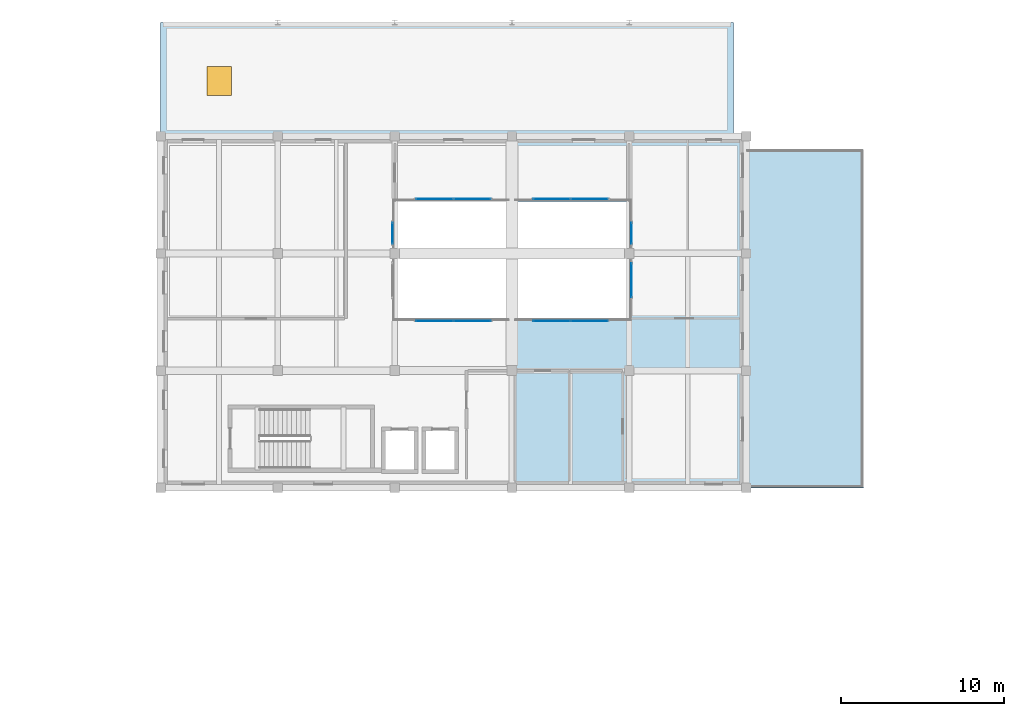
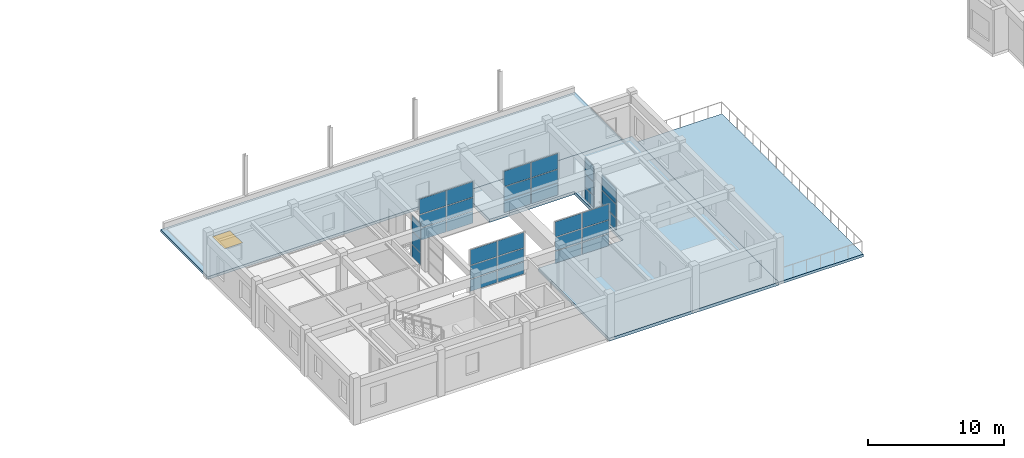
# One storey, part 68 of 99: 33 plates, 3 slabs, 1 window, 1 opening, 7 elements without a shape of their own.
"""IFC4 building model written with IfcOpenShell, lengths in metres."""

from ifc_helpers import new_model, si_unit, direction, frame, origin, origin_2d, place, context, subcontext, project, spatial, polyline, rectangle, outline, extrude, material, layer, layer_set, type_object, element, fill, aggregate, save


model = new_model("IFC4")

# Units and contexts
model_context = context("Model", 3, precision=1e-05, world=origin(), true_north=direction((0.0, 1.0)))
body_context = subcontext(model_context, "Body", "Model", "MODEL_VIEW")
ifc_project = project(units=[si_unit("LENGTHUNIT", "METRE"), si_unit("AREAUNIT", "SQUARE_METRE"), si_unit("VOLUMEUNIT", "CUBIC_METRE"), si_unit("PLANEANGLEUNIT", "RADIAN"), si_unit("MASSUNIT", "GRAM", prefix="KILO")], contexts=[model_context])

# Site, building, storey
site_placement = place(None, origin())
site = spatial("IfcSite", under=ifc_project, at=site_placement, CompositionType="ELEMENT")
building_placement = place(site_placement, origin())
building = spatial("IfcBuilding", under=site, at=building_placement, Name="Bramveld Media Centre", CompositionType="ELEMENT")
storey_placement = place(building_placement, frame((0.0, 0.0, 13.800048828125)))
storey = spatial("IfcBuildingStorey", under=building, at=storey_placement, Name="L03", CompositionType="ELEMENT", Elevation=13.800048828125)

# Curtain wall, plates
ifc_material_1 = material(Name="Thermally broken anodized bronze aluminium unitized curtain wall with solar-control triple glazing", Category="aluminium")
curtain_wall_type_1 = type_object("IfcCurtainWallType", Name="CW-ATR-4700x3840", PredefinedType="NOTDEFINED", material=ifc_material_1)
curtain_wall_1_placement = place(storey_placement, origin())
curtain_wall_1 = element("IfcCurtainWall", 1, at=curtain_wall_1_placement, inside=storey, type_object=curtain_wall_type_1, Name="V6 L03 atrium acoustic screen S1-1", PredefinedType="NOTDEFINED")
ifc_material_2 = material(Name="Laminated acoustic safety glass panel", Category="glass")
ifc_layer_1 = layer(ifc_material_2, 0.028076171875)
ifc_layer_set_1 = layer_set([ifc_layer_1], Name="Laminated acoustic safety glass panel")
plate_type = type_object("IfcPlateType", Name="CW-PAN-INT", PredefinedType="CURTAIN_PANEL", material=ifc_layer_set_1)
plate_1_placement = place(storey_placement, frame((82.43994140625, 100.64990234375, 0.059814453125), z_axis=(0.0, 0.0, 1.0), x_axis=(1.0, 0.0, 0.0)))
plate_1 = element("IfcPlate", 2, at=plate_1_placement, type_object=plate_type, Name="CW-AT-4738 panel 1.1", PredefinedType="CURTAIN_PANEL", context=body_context, shape_type="SweptSolid", body=[
    extrude(rectangle(XDim=2.260009765625, YDim=0.028076171875, at=origin_2d()), origin(), (0.0, 0.0, 1.0), 1.06005859375),
])
plate_2_placement = place(storey_placement, frame((82.43994140625, 100.64990234375, 1.179931640625), z_axis=(0.0, 0.0, 1.0), x_axis=(1.0, 0.0, 0.0)))
plate_2 = element("IfcPlate", 3, at=plate_2_placement, type_object=plate_type, Name="CW-AT-4738 panel 1.2", PredefinedType="CURTAIN_PANEL", context=body_context, shape_type="SweptSolid", body=[
    extrude(rectangle(XDim=2.260009765625, YDim=0.028076171875, at=origin_2d()), origin(), (0.0, 0.0, 1.0), 1.1708984375),
])
plate_3_placement = place(storey_placement, frame((82.43994140625, 100.64990234375, 2.4111328125), z_axis=(0.0, 0.0, 1.0), x_axis=(1.0, 0.0, 0.0)))
plate_3 = element("IfcPlate", 4, at=plate_3_placement, type_object=plate_type, Name="CW-AT-4738 panel 1.3", PredefinedType="CURTAIN_PANEL", context=body_context, shape_type="SweptSolid", body=[
    extrude(rectangle(XDim=2.260009765625, YDim=0.028076171875, at=origin_2d()), origin(), (0.0, 0.0, 1.0), 1.368896484375),
])
plate_4_placement = place(storey_placement, frame((84.760009765625, 100.64990234375, 0.059814453125), z_axis=(0.0, 0.0, 1.0), x_axis=(1.0, 0.0, 0.0)))
plate_4 = element("IfcPlate", 5, at=plate_4_placement, type_object=plate_type, Name="CW-AT-4738 panel 2.1", PredefinedType="CURTAIN_PANEL", context=body_context, shape_type="SweptSolid", body=[
    extrude(rectangle(XDim=2.260009765625, YDim=0.028076171875, at=origin_2d()), origin(), (0.0, 0.0, 1.0), 1.06005859375),
])
plate_5_placement = place(storey_placement, frame((84.760009765625, 100.64990234375, 1.179931640625), z_axis=(0.0, 0.0, 1.0), x_axis=(1.0, 0.0, 0.0)))
plate_5 = element("IfcPlate", 6, at=plate_5_placement, type_object=plate_type, Name="CW-AT-4738 panel 2.2", PredefinedType="CURTAIN_PANEL", context=body_context, shape_type="SweptSolid", body=[
    extrude(rectangle(XDim=2.260009765625, YDim=0.028076171875, at=origin_2d()), origin(), (0.0, 0.0, 1.0), 1.1708984375),
])
plate_6_placement = place(storey_placement, frame((84.760009765625, 100.64990234375, 2.4111328125), z_axis=(0.0, 0.0, 1.0), x_axis=(1.0, 0.0, 0.0)))
plate_6 = element("IfcPlate", 7, at=plate_6_placement, type_object=plate_type, Name="CW-AT-4738 panel 2.3", PredefinedType="CURTAIN_PANEL", context=body_context, shape_type="SweptSolid", body=[
    extrude(rectangle(XDim=2.260009765625, YDim=0.028076171875, at=origin_2d()), origin(), (0.0, 0.0, 1.0), 1.368896484375),
])
aggregate(curtain_wall_1, [plate_1, plate_2, plate_3, plate_4, plate_5, plate_6])

curtain_wall_2_placement = place(storey_placement, origin())
curtain_wall_2 = element("IfcCurtainWall", 8, at=curtain_wall_2_placement, inside=storey, type_object=curtain_wall_type_1, Name="V6 L03 atrium acoustic screen S2-1", PredefinedType="NOTDEFINED")
plate_7_placement = place(storey_placement, frame((89.639892578125, 100.64990234375, 0.059814453125), z_axis=(0.0, 0.0, 1.0), x_axis=(1.0, 0.0, 0.0)))
plate_7 = element("IfcPlate", 9, at=plate_7_placement, type_object=plate_type, Name="CW-AT-4738 panel 1.1", PredefinedType="CURTAIN_PANEL", context=body_context, shape_type="SweptSolid", body=[
    extrude(rectangle(XDim=2.260009765625, YDim=0.028076171875, at=origin_2d()), origin(), (0.0, 0.0, 1.0), 1.06005859375),
])
plate_8_placement = place(storey_placement, frame((89.639892578125, 100.64990234375, 1.179931640625), z_axis=(0.0, 0.0, 1.0), x_axis=(1.0, 0.0, 0.0)))
plate_8 = element("IfcPlate", 10, at=plate_8_placement, type_object=plate_type, Name="CW-AT-4738 panel 1.2", PredefinedType="CURTAIN_PANEL", context=body_context, shape_type="SweptSolid", body=[
    extrude(rectangle(XDim=2.260009765625, YDim=0.028076171875, at=origin_2d()), origin(), (0.0, 0.0, 1.0), 1.1708984375),
])
plate_9_placement = place(storey_placement, frame((89.639892578125, 100.64990234375, 2.4111328125), z_axis=(0.0, 0.0, 1.0), x_axis=(1.0, 0.0, 0.0)))
plate_9 = element("IfcPlate", 11, at=plate_9_placement, type_object=plate_type, Name="CW-AT-4738 panel 1.3", PredefinedType="CURTAIN_PANEL", context=body_context, shape_type="SweptSolid", body=[
    extrude(rectangle(XDim=2.260009765625, YDim=0.028076171875, at=origin_2d()), origin(), (0.0, 0.0, 1.0), 1.368896484375),
])
plate_10_placement = place(storey_placement, frame((91.9599609375, 100.64990234375, 0.059814453125), z_axis=(0.0, 0.0, 1.0), x_axis=(1.0, 0.0, 0.0)))
plate_10 = element("IfcPlate", 12, at=plate_10_placement, type_object=plate_type, Name="CW-AT-4738 panel 2.1", PredefinedType="CURTAIN_PANEL", context=body_context, shape_type="SweptSolid", body=[
    extrude(rectangle(XDim=2.260009765625, YDim=0.028076171875, at=origin_2d()), origin(), (0.0, 0.0, 1.0), 1.06005859375),
])
plate_11_placement = place(storey_placement, frame((91.9599609375, 100.64990234375, 1.179931640625), z_axis=(0.0, 0.0, 1.0), x_axis=(1.0, 0.0, 0.0)))
plate_11 = element("IfcPlate", 13, at=plate_11_placement, type_object=plate_type, Name="CW-AT-4738 panel 2.2", PredefinedType="CURTAIN_PANEL", context=body_context, shape_type="SweptSolid", body=[
    extrude(rectangle(XDim=2.260009765625, YDim=0.028076171875, at=origin_2d()), origin(), (0.0, 0.0, 1.0), 1.1708984375),
])
plate_12_placement = place(storey_placement, frame((91.9599609375, 100.64990234375, 2.4111328125), z_axis=(0.0, 0.0, 1.0), x_axis=(1.0, 0.0, 0.0)))
plate_12 = element("IfcPlate", 14, at=plate_12_placement, type_object=plate_type, Name="CW-AT-4738 panel 2.3", PredefinedType="CURTAIN_PANEL", context=body_context, shape_type="SweptSolid", body=[
    extrude(rectangle(XDim=2.260009765625, YDim=0.028076171875, at=origin_2d()), origin(), (0.0, 0.0, 1.0), 1.368896484375),
])
aggregate(curtain_wall_2, [plate_7, plate_8, plate_9, plate_10, plate_11, plate_12])

curtain_wall_3_placement = place(storey_placement, origin())
curtain_wall_3 = element("IfcCurtainWall", 15, at=curtain_wall_3_placement, inside=storey, type_object=curtain_wall_type_1, Name="V6 L03 atrium acoustic screen N1-1", PredefinedType="NOTDEFINED")
plate_13_placement = place(storey_placement, frame((82.43994140625, 108.14990234375, 0.059814453125), z_axis=(0.0, 0.0, 1.0), x_axis=(1.0, 0.0, 0.0)))
plate_13 = element("IfcPlate", 16, at=plate_13_placement, type_object=plate_type, Name="CW-AT-4738 panel 1.1", PredefinedType="CURTAIN_PANEL", context=body_context, shape_type="SweptSolid", body=[
    extrude(rectangle(XDim=2.260009765625, YDim=0.028076171875, at=origin_2d()), origin(), (0.0, 0.0, 1.0), 1.06005859375),
])
plate_14_placement = place(storey_placement, frame((82.43994140625, 108.14990234375, 1.179931640625), z_axis=(0.0, 0.0, 1.0), x_axis=(1.0, 0.0, 0.0)))
plate_14 = element("IfcPlate", 17, at=plate_14_placement, type_object=plate_type, Name="CW-AT-4738 panel 1.2", PredefinedType="CURTAIN_PANEL", context=body_context, shape_type="SweptSolid", body=[
    extrude(rectangle(XDim=2.260009765625, YDim=0.028076171875, at=origin_2d()), origin(), (0.0, 0.0, 1.0), 1.1708984375),
])
plate_15_placement = place(storey_placement, frame((82.43994140625, 108.14990234375, 2.4111328125), z_axis=(0.0, 0.0, 1.0), x_axis=(1.0, 0.0, 0.0)))
plate_15 = element("IfcPlate", 18, at=plate_15_placement, type_object=plate_type, Name="CW-AT-4738 panel 1.3", PredefinedType="CURTAIN_PANEL", context=body_context, shape_type="SweptSolid", body=[
    extrude(rectangle(XDim=2.260009765625, YDim=0.028076171875, at=origin_2d()), origin(), (0.0, 0.0, 1.0), 1.368896484375),
])
plate_16_placement = place(storey_placement, frame((84.760009765625, 108.14990234375, 0.059814453125), z_axis=(0.0, 0.0, 1.0), x_axis=(1.0, 0.0, 0.0)))
plate_16 = element("IfcPlate", 19, at=plate_16_placement, type_object=plate_type, Name="CW-AT-4738 panel 2.1", PredefinedType="CURTAIN_PANEL", context=body_context, shape_type="SweptSolid", body=[
    extrude(rectangle(XDim=2.260009765625, YDim=0.028076171875, at=origin_2d()), origin(), (0.0, 0.0, 1.0), 1.06005859375),
])
plate_17_placement = place(storey_placement, frame((84.760009765625, 108.14990234375, 1.179931640625), z_axis=(0.0, 0.0, 1.0), x_axis=(1.0, 0.0, 0.0)))
plate_17 = element("IfcPlate", 20, at=plate_17_placement, type_object=plate_type, Name="CW-AT-4738 panel 2.2", PredefinedType="CURTAIN_PANEL", context=body_context, shape_type="SweptSolid", body=[
    extrude(rectangle(XDim=2.260009765625, YDim=0.028076171875, at=origin_2d()), origin(), (0.0, 0.0, 1.0), 1.1708984375),
])
plate_18_placement = place(storey_placement, frame((84.760009765625, 108.14990234375, 2.4111328125), z_axis=(0.0, 0.0, 1.0), x_axis=(1.0, 0.0, 0.0)))
plate_18 = element("IfcPlate", 21, at=plate_18_placement, type_object=plate_type, Name="CW-AT-4738 panel 2.3", PredefinedType="CURTAIN_PANEL", context=body_context, shape_type="SweptSolid", body=[
    extrude(rectangle(XDim=2.260009765625, YDim=0.028076171875, at=origin_2d()), origin(), (0.0, 0.0, 1.0), 1.368896484375),
])
aggregate(curtain_wall_3, [plate_13, plate_14, plate_15, plate_16, plate_17, plate_18])

curtain_wall_4_placement = place(storey_placement, origin())
curtain_wall_4 = element("IfcCurtainWall", 22, at=curtain_wall_4_placement, inside=storey, type_object=curtain_wall_type_1, Name="V6 L03 atrium acoustic screen N2-1", PredefinedType="NOTDEFINED")
plate_19_placement = place(storey_placement, frame((89.639892578125, 108.14990234375, 0.059814453125), z_axis=(0.0, 0.0, 1.0), x_axis=(1.0, 0.0, 0.0)))
plate_19 = element("IfcPlate", 23, at=plate_19_placement, type_object=plate_type, Name="CW-AT-4738 panel 1.1", PredefinedType="CURTAIN_PANEL", context=body_context, shape_type="SweptSolid", body=[
    extrude(rectangle(XDim=2.260009765625, YDim=0.028076171875, at=origin_2d()), origin(), (0.0, 0.0, 1.0), 1.06005859375),
])
plate_20_placement = place(storey_placement, frame((89.639892578125, 108.14990234375, 1.179931640625), z_axis=(0.0, 0.0, 1.0), x_axis=(1.0, 0.0, 0.0)))
plate_20 = element("IfcPlate", 24, at=plate_20_placement, type_object=plate_type, Name="CW-AT-4738 panel 1.2", PredefinedType="CURTAIN_PANEL", context=body_context, shape_type="SweptSolid", body=[
    extrude(rectangle(XDim=2.260009765625, YDim=0.028076171875, at=origin_2d()), origin(), (0.0, 0.0, 1.0), 1.1708984375),
])
plate_21_placement = place(storey_placement, frame((89.639892578125, 108.14990234375, 2.4111328125), z_axis=(0.0, 0.0, 1.0), x_axis=(1.0, 0.0, 0.0)))
plate_21 = element("IfcPlate", 25, at=plate_21_placement, type_object=plate_type, Name="CW-AT-4738 panel 1.3", PredefinedType="CURTAIN_PANEL", context=body_context, shape_type="SweptSolid", body=[
    extrude(rectangle(XDim=2.260009765625, YDim=0.028076171875, at=origin_2d()), origin(), (0.0, 0.0, 1.0), 1.368896484375),
])
plate_22_placement = place(storey_placement, frame((91.9599609375, 108.14990234375, 0.059814453125), z_axis=(0.0, 0.0, 1.0), x_axis=(1.0, 0.0, 0.0)))
plate_22 = element("IfcPlate", 26, at=plate_22_placement, type_object=plate_type, Name="CW-AT-4738 panel 2.1", PredefinedType="CURTAIN_PANEL", context=body_context, shape_type="SweptSolid", body=[
    extrude(rectangle(XDim=2.260009765625, YDim=0.028076171875, at=origin_2d()), origin(), (0.0, 0.0, 1.0), 1.06005859375),
])
plate_23_placement = place(storey_placement, frame((91.9599609375, 108.14990234375, 1.179931640625), z_axis=(0.0, 0.0, 1.0), x_axis=(1.0, 0.0, 0.0)))
plate_23 = element("IfcPlate", 27, at=plate_23_placement, type_object=plate_type, Name="CW-AT-4738 panel 2.2", PredefinedType="CURTAIN_PANEL", context=body_context, shape_type="SweptSolid", body=[
    extrude(rectangle(XDim=2.260009765625, YDim=0.028076171875, at=origin_2d()), origin(), (0.0, 0.0, 1.0), 1.1708984375),
])
plate_24_placement = place(storey_placement, frame((91.9599609375, 108.14990234375, 2.4111328125), z_axis=(0.0, 0.0, 1.0), x_axis=(1.0, 0.0, 0.0)))
plate_24 = element("IfcPlate", 28, at=plate_24_placement, type_object=plate_type, Name="CW-AT-4738 panel 2.3", PredefinedType="CURTAIN_PANEL", context=body_context, shape_type="SweptSolid", body=[
    extrude(rectangle(XDim=2.260009765625, YDim=0.028076171875, at=origin_2d()), origin(), (0.0, 0.0, 1.0), 1.368896484375),
])
aggregate(curtain_wall_4, [plate_19, plate_20, plate_21, plate_22, plate_23, plate_24])

ifc_material_3 = material(Name="Thermally broken anodized bronze aluminium unitized curtain wall with solar-control triple glazing", Category="aluminium")
curtain_wall_type_2 = type_object("IfcCurtainWallType", Name="CW-ATR-1400x3840", PredefinedType="NOTDEFINED", material=ifc_material_3)
curtain_wall_5_placement = place(storey_placement, origin())
curtain_wall_5 = element("IfcCurtainWall", 29, at=curtain_wall_5_placement, inside=storey, type_object=curtain_wall_type_2, Name="V6 L03 atrium acoustic screen W-2", PredefinedType="NOTDEFINED")
plate_25_placement = place(storey_placement, frame((79.85009765625, 106.050048828125, 0.059814453125), z_axis=(0.0, 0.0, 1.0), x_axis=(0.0, 1.0, 0.0)))
plate_25 = element("IfcPlate", 30, at=plate_25_placement, type_object=plate_type, Name="CW-AT-1438 panel 1.1", PredefinedType="CURTAIN_PANEL", context=body_context, shape_type="SweptSolid", body=[
    extrude(rectangle(XDim=1.280029296875, YDim=0.028076171875, at=origin_2d()), origin(), (0.0, 0.0, 1.0), 1.06005859375),
])
plate_26_placement = place(storey_placement, frame((79.85009765625, 106.050048828125, 1.179931640625), z_axis=(0.0, 0.0, 1.0), x_axis=(0.0, 1.0, 0.0)))
plate_26 = element("IfcPlate", 31, at=plate_26_placement, type_object=plate_type, Name="CW-AT-1438 panel 1.2", PredefinedType="CURTAIN_PANEL", context=body_context, shape_type="SweptSolid", body=[
    extrude(rectangle(XDim=1.280029296875, YDim=0.028076171875, at=origin_2d()), origin(), (0.0, 0.0, 1.0), 1.1708984375),
])
plate_27_placement = place(storey_placement, frame((79.85009765625, 106.050048828125, 2.4111328125), z_axis=(0.0, 0.0, 1.0), x_axis=(0.0, 1.0, 0.0)))
plate_27 = element("IfcPlate", 32, at=plate_27_placement, type_object=plate_type, Name="CW-AT-1438 panel 1.3", PredefinedType="CURTAIN_PANEL", context=body_context, shape_type="SweptSolid", body=[
    extrude(rectangle(XDim=1.280029296875, YDim=0.028076171875, at=origin_2d()), origin(), (0.0, 0.0, 1.0), 1.368896484375),
])
aggregate(curtain_wall_5, [plate_25, plate_26, plate_27])

ifc_material_4 = material(Name="Thermally broken anodized bronze aluminium unitized curtain wall with solar-control triple glazing", Category="aluminium")
curtain_wall_type_3 = type_object("IfcCurtainWallType", Name="CW-ATR-2200x3840", PredefinedType="NOTDEFINED", material=ifc_material_4)
curtain_wall_6_placement = place(storey_placement, origin())
curtain_wall_6 = element("IfcCurtainWall", 33, at=curtain_wall_6_placement, inside=storey, type_object=curtain_wall_type_3, Name="V6 L03 atrium acoustic screen E-1", PredefinedType="NOTDEFINED")
plate_28_placement = place(storey_placement, frame((94.550048828125, 103.14990234375, 0.059814453125), z_axis=(0.0, 0.0, 1.0), x_axis=(0.0, 1.0, 0.0)))
plate_28 = element("IfcPlate", 34, at=plate_28_placement, type_object=plate_type, Name="CW-AT-2238 panel 1.1", PredefinedType="CURTAIN_PANEL", context=body_context, shape_type="SweptSolid", body=[
    extrude(rectangle(XDim=2.080078125, YDim=0.028076171875, at=origin_2d()), origin(), (0.0, 0.0, 1.0), 1.06005859375),
])
plate_29_placement = place(storey_placement, frame((94.550048828125, 103.14990234375, 1.179931640625), z_axis=(0.0, 0.0, 1.0), x_axis=(0.0, 1.0, 0.0)))
plate_29 = element("IfcPlate", 35, at=plate_29_placement, type_object=plate_type, Name="CW-AT-2238 panel 1.2", PredefinedType="CURTAIN_PANEL", context=body_context, shape_type="SweptSolid", body=[
    extrude(rectangle(XDim=2.080078125, YDim=0.028076171875, at=origin_2d()), origin(), (0.0, 0.0, 1.0), 1.1708984375),
])
plate_30_placement = place(storey_placement, frame((94.550048828125, 103.14990234375, 2.4111328125), z_axis=(0.0, 0.0, 1.0), x_axis=(0.0, 1.0, 0.0)))
plate_30 = element("IfcPlate", 36, at=plate_30_placement, type_object=plate_type, Name="CW-AT-2238 panel 1.3", PredefinedType="CURTAIN_PANEL", context=body_context, shape_type="SweptSolid", body=[
    extrude(rectangle(XDim=2.080078125, YDim=0.028076171875, at=origin_2d()), origin(), (0.0, 0.0, 1.0), 1.368896484375),
])
aggregate(curtain_wall_6, [plate_28, plate_29, plate_30])

curtain_wall_7_placement = place(storey_placement, origin())
curtain_wall_7 = element("IfcCurtainWall", 37, at=curtain_wall_7_placement, inside=storey, type_object=curtain_wall_type_2, Name="V6 L03 atrium acoustic screen E-2", PredefinedType="NOTDEFINED")
plate_31_placement = place(storey_placement, frame((94.550048828125, 106.050048828125, 0.059814453125), z_axis=(0.0, 0.0, 1.0), x_axis=(0.0, 1.0, 0.0)))
plate_31 = element("IfcPlate", 38, at=plate_31_placement, type_object=plate_type, Name="CW-AT-1438 panel 1.1", PredefinedType="CURTAIN_PANEL", context=body_context, shape_type="SweptSolid", body=[
    extrude(rectangle(XDim=1.280029296875, YDim=0.028076171875, at=origin_2d()), origin(), (0.0, 0.0, 1.0), 1.06005859375),
])
plate_32_placement = place(storey_placement, frame((94.550048828125, 106.050048828125, 1.179931640625), z_axis=(0.0, 0.0, 1.0), x_axis=(0.0, 1.0, 0.0)))
plate_32 = element("IfcPlate", 39, at=plate_32_placement, type_object=plate_type, Name="CW-AT-1438 panel 1.2", PredefinedType="CURTAIN_PANEL", context=body_context, shape_type="SweptSolid", body=[
    extrude(rectangle(XDim=1.280029296875, YDim=0.028076171875, at=origin_2d()), origin(), (0.0, 0.0, 1.0), 1.1708984375),
])
plate_33_placement = place(storey_placement, frame((94.550048828125, 106.050048828125, 2.4111328125), z_axis=(0.0, 0.0, 1.0), x_axis=(0.0, 1.0, 0.0)))
plate_33 = element("IfcPlate", 40, at=plate_33_placement, type_object=plate_type, Name="CW-AT-1438 panel 1.3", PredefinedType="CURTAIN_PANEL", context=body_context, shape_type="SweptSolid", body=[
    extrude(rectangle(XDim=1.280029296875, YDim=0.028076171875, at=origin_2d()), origin(), (0.0, 0.0, 1.0), 1.368896484375),
])
aggregate(curtain_wall_7, [plate_31, plate_32, plate_33])

# Slab, opening, window
ifc_material_5 = material(Name="Concrete C40/50", Category="concrete")
ifc_layer_2 = layer(ifc_material_5, 0.239990234375)
ifc_layer_set_2 = layer_set([ifc_layer_2], Name="Concrete C40/50")
slab_type_1 = type_object("IfcSlabType", Name="ROOF-SLAB-240-12", PredefinedType="ROOF", material=ifc_layer_set_2)
slab_1_placement = place(storey_placement, frame((0.0, 0.0, -0.239990234375)))
slab_1 = element("IfcSlab", 41, at=slab_1_placement, inside=storey, type_object=slab_type_1, Name="V6 L03 flat roof slab", PredefinedType="ROOF", context=body_context, shape_type="SweptSolid", body=[
    extrude(outline(polyline([(65.60009765625, 112.0), (100.800048828125, 112.0), (100.800048828125, 119.0), (65.60009765625, 119.0), (65.60009765625, 112.0)])), origin(), (0.0, 0.0, 1.0), 0.239990234375),
])
opening_placement = place(slab_1_placement, frame((69.199951171875, 115.39990234375, 0.0)))
opening = element("IfcOpeningElement", 42, at=opening_placement, cuts=slab_1, Name="Opening SK-03", PredefinedType="OPENING", context=body_context, shape_type="SweptSolid", body=[
    extrude(rectangle(XDim=1.5, YDim=1.800048828125, at=origin_2d()), origin(), (0.0, 0.0, 1.0), 0.239990234375),
])
ifc_material_6 = material(Name="Insulated aluminium smoke-ventilation & maintenance roof skylight hatch", Category="aluminium")
window_type = type_object("IfcWindowType", Name="SKY-HATCH-03", PartitioningType="SINGLE_PANEL", PredefinedType="SKYLIGHT", material=ifc_material_6)
window_placement = place(opening_placement, frame((0.0, 0.0, 0.18994140625)))
window = element("IfcWindow", 43, at=window_placement, inside=storey, type_object=window_type, Name="Roof maintenance & smoke-vent skylight hatch 11", OverallHeight=1.800048828125, OverallWidth=1.5, PartitioningType="SINGLE_PANEL", PredefinedType="SKYLIGHT", context=body_context, shape_type="SweptSolid", body=[
    extrude(rectangle(XDim=1.5, YDim=1.800048828125, at=origin_2d()), origin(), (0.0, 0.0, 1.0), 0.050048828125),
])
fill(opening, window)

# Slabs
ifc_material_7 = material(Name="Precast concrete C40/50", Category="concrete")
ifc_layer_3 = layer(ifc_material_7, 0.239990234375)
ifc_layer_set_3 = layer_set([ifc_layer_3], Name="Precast concrete C40/50")
slab_type_2 = type_object("IfcSlabType", Name="SLAB-FLOOR-EXT-240", PredefinedType="FLOOR", material=ifc_layer_set_3)
slab_2_placement = place(storey_placement, frame((0.0, 0.0, -0.239990234375)))
element("IfcSlab", 44, at=slab_2_placement, inside=storey, type_object=slab_type_2, Name="Exhibition Belvedere Terrace", PredefinedType="FLOOR", context=body_context, shape_type="SweptSolid", body=[
    extrude(outline(polyline([(101.60009765625, 90.39990234375), (108.800048828125, 90.39990234375), (108.800048828125, 111.199951171875), (101.60009765625, 111.199951171875), (101.60009765625, 90.39990234375)])), origin(), (0.0, 0.0, 1.0), 0.239990234375),
])
ifc_material_8 = material(Name="Concrete C40/50", Category="concrete")
ifc_layer_4 = layer(ifc_material_8, 0.280029296875)
ifc_layer_set_4 = layer_set([ifc_layer_4], Name="Concrete C40/50")
slab_type_3 = type_object("IfcSlabType", Name="SLAB-FLOOR-INT-280", PredefinedType="FLOOR", material=ifc_layer_set_4)
slab_3_placement = place(storey_placement, frame((0.0, 0.0, -0.280029296875)))
element("IfcSlab", 45, at=slab_3_placement, inside=storey, type_object=slab_type_3, Name="V6 L03 structural slab 2", PredefinedType="FLOOR", context=body_context, shape_type="SweptSolid", body=[
    extrude(outline(polyline([(101.60009765625, 90.39990234375), (87.199951171875, 90.39990234375), (87.199951171875, 100.800048828125), (94.39990234375, 100.800048828125), (94.39990234375, 108.0), (87.199951171875, 108.0), (87.199951171875, 112.0), (101.60009765625, 112.0), (101.60009765625, 90.39990234375)])), origin(), (0.0, 0.0, 1.0), 0.280029296875),
])

save(model, "model.ifc")
